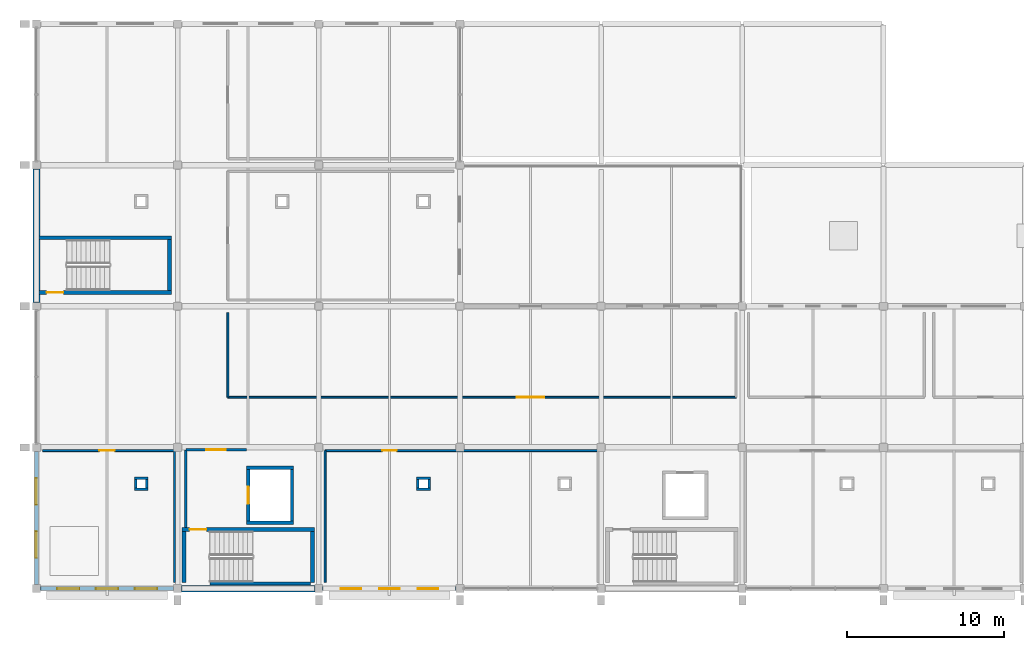
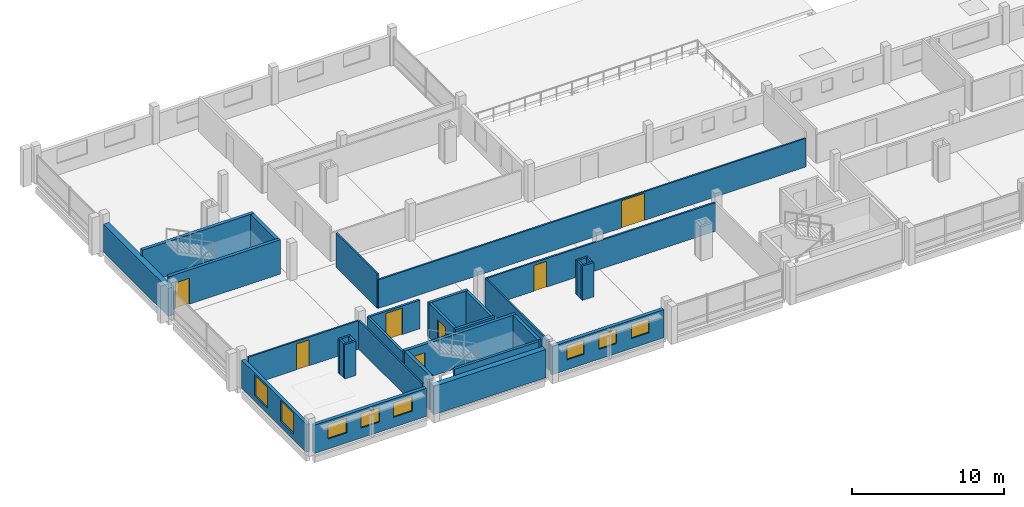
# One storey, part 18 of 25: 32 walls, 8 windows, 7 doors, 15 openings.
"""IFC4 building model written with IfcOpenShell, lengths in metres."""

from ifc_helpers import new_model, si_unit, direction, frame, frame_2d, origin, place, context, subcontext, project, spatial, rectangle, extrude, material, layer, layer_set, type_object, element, fill, save


model = new_model("IFC4")

# Units and contexts
model_context = context("Model", 3, precision=1e-05, world=origin(), true_north=direction((0.0, 1.0)))
body_context = subcontext(model_context, "Body", "Model", "MODEL_VIEW")
ifc_project = project(units=[si_unit("LENGTHUNIT", "METRE"), si_unit("AREAUNIT", "SQUARE_METRE"), si_unit("VOLUMEUNIT", "CUBIC_METRE"), si_unit("PLANEANGLEUNIT", "RADIAN"), si_unit("MASSUNIT", "GRAM", prefix="KILO")], contexts=[model_context])

# Site, building, storey
site_placement = place(None, origin())
site = spatial("IfcSite", under=ifc_project, at=site_placement, CompositionType="ELEMENT")
building_placement = place(site_placement, origin())
building = spatial("IfcBuilding", under=site, at=building_placement, Name="Tharagai Park Tramway Depot", CompositionType="ELEMENT")
storey_placement = place(building_placement, frame((0.0, 0.0, 12.0)))
storey = spatial("IfcBuildingStorey", under=building, at=storey_placement, Name="L03", CompositionType="ELEMENT", Elevation=12.0)

# Wall, openings, windows
ifc_material_1 = material(Name="Pressed clay brick", Category="masonry")
ifc_layer_1 = layer(ifc_material_1, 0.260009765625)
ifc_layer_set_1 = layer_set([ifc_layer_1], Name="Pressed clay brick")
wall_type_1 = type_object("IfcWallType", Name="EW-05", PredefinedType="SOLIDWALL", material=ifc_layer_set_1)
wall_1_placement = place(storey_placement, frame((0.248046875, 0.0, 0.0), z_axis=(0.0, 0.0, 1.0), x_axis=(1.0, 0.0, 0.0)))
wall_1 = element("IfcWall", 1, at=wall_1_placement, inside=storey, type_object=wall_type_1, Name="L03 V4 Exterior Masonry Wall EW-05", PredefinedType="SOLIDWALL", context=body_context, shape_type="SweptSolid", body=[
    extrude(rectangle(XDim=8.50390625, YDim=0.260009765625, at=frame_2d((4.251953125, 0.0))), origin(), (0.0, 0.0, 1.0), 2.261962890625),
])
opening_1_placement = place(wall_1_placement, frame((1.06103515625, 0.0, 0.800048828125)))
opening_1 = element("IfcOpeningElement", 2, at=opening_1_placement, cuts=wall_1, Name="Opening WN-16", PredefinedType="OPENING", context=body_context, shape_type="SweptSolid", body=[
    extrude(rectangle(XDim=1.419921875, YDim=1.159912109375, at=frame_2d((0.7099609375, 0.580078125))), frame((0.0, 0.139892578125, 0.0), z_axis=(0.0, -1.0, 0.0), x_axis=(1.0, 0.0, 0.0)), (0.0, 0.0, 1.0), 0.280029296875),
])
opening_2_placement = place(wall_1_placement, frame((3.5419921875, 0.0, 0.800048828125)))
opening_2 = element("IfcOpeningElement", 3, at=opening_2_placement, cuts=wall_1, Name="Opening WN-16", PredefinedType="OPENING", context=body_context, shape_type="SweptSolid", body=[
    extrude(rectangle(XDim=1.419921875, YDim=1.159912109375, at=frame_2d((0.7099609375, 0.580078125))), frame((0.0, 0.139892578125, 0.0), z_axis=(0.0, -1.0, 0.0), x_axis=(1.0, 0.0, 0.0)), (0.0, 0.0, 1.0), 0.280029296875),
])
opening_3_placement = place(wall_1_placement, frame((6.02294921875, 0.0, 0.800048828125)))
opening_3 = element("IfcOpeningElement", 4, at=opening_3_placement, cuts=wall_1, Name="Opening WN-16", PredefinedType="OPENING", context=body_context, shape_type="SweptSolid", body=[
    extrude(rectangle(XDim=1.419921875, YDim=1.159912109375, at=frame_2d((0.7099609375, 0.580078125))), frame((0.0, 0.139892578125, 0.0), z_axis=(0.0, -1.0, 0.0), x_axis=(1.0, 0.0, 0.0)), (0.0, 0.0, 1.0), 0.280029296875),
])
ifc_material_2 = material(Name="Laminated solar-control glass", Category="glass")
window_type_1 = type_object("IfcWindowType", Name="WN-16", PartitioningType="SINGLE_PANEL", PredefinedType="WINDOW", material=ifc_material_2)
window_1_placement = place(opening_1_placement, origin())
window_1 = element("IfcWindow", 5, at=window_1_placement, inside=storey, type_object=window_type_1, Name="L03 V4 Gothic Lancet Window WN-16", OverallHeight=1.159912109375, OverallWidth=1.419921875, PartitioningType="SINGLE_PANEL", PredefinedType="WINDOW", context=body_context, shape_type="SweptSolid", body=[
    extrude(rectangle(XDim=1.419921875, YDim=1.159912109375, at=frame_2d((0.7099609375, 0.580078125))), frame((0.0, 0.030029296875, 0.0), z_axis=(0.0, -1.0, 0.0), x_axis=(1.0, 0.0, 0.0)), (0.0, 0.0, 1.0), 0.06005859375),
])
fill(opening_1, window_1)
window_2_placement = place(opening_2_placement, origin())
window_2 = element("IfcWindow", 6, at=window_2_placement, inside=storey, type_object=window_type_1, Name="L03 V4 Gothic Lancet Window WN-16", OverallHeight=1.159912109375, OverallWidth=1.419921875, PartitioningType="SINGLE_PANEL", PredefinedType="WINDOW", context=body_context, shape_type="SweptSolid", body=[
    extrude(rectangle(XDim=1.419921875, YDim=1.159912109375, at=frame_2d((0.7099609375, 0.580078125))), frame((0.0, 0.030029296875, 0.0), z_axis=(0.0, -1.0, 0.0), x_axis=(1.0, 0.0, 0.0)), (0.0, 0.0, 1.0), 0.06005859375),
])
fill(opening_2, window_2)
window_3_placement = place(opening_3_placement, origin())
window_3 = element("IfcWindow", 7, at=window_3_placement, inside=storey, type_object=window_type_1, Name="L03 V4 Gothic Lancet Window WN-16", OverallHeight=1.159912109375, OverallWidth=1.419921875, PartitioningType="SINGLE_PANEL", PredefinedType="WINDOW", context=body_context, shape_type="SweptSolid", body=[
    extrude(rectangle(XDim=1.419921875, YDim=1.159912109375, at=frame_2d((0.7099609375, 0.580078125))), frame((0.0, 0.030029296875, 0.0), z_axis=(0.0, -1.0, 0.0), x_axis=(1.0, 0.0, 0.0)), (0.0, 0.0, 1.0), 0.06005859375),
])
fill(opening_3, window_3)

wall_2_placement = place(storey_placement, frame((18.248046875, 0.0, 0.0), z_axis=(0.0, 0.0, 1.0), x_axis=(1.0, 0.0, 0.0)))
wall_2 = element("IfcWall", 8, at=wall_2_placement, inside=storey, type_object=wall_type_1, Name="L03 V4 Exterior Masonry Wall EW-05", PredefinedType="SOLIDWALL", context=body_context, shape_type="SweptSolid", body=[
    extrude(rectangle(XDim=8.50390625, YDim=0.260009765625, at=frame_2d((4.251953125, 0.0))), origin(), (0.0, 0.0, 1.0), 2.261962890625),
])
opening_4_placement = place(wall_2_placement, frame((1.135986328125, 0.0, 0.800048828125)))
opening_4 = element("IfcOpeningElement", 9, at=opening_4_placement, cuts=wall_2, Name="Opening WN-47", PredefinedType="OPENING", context=body_context, shape_type="SweptSolid", body=[
    extrude(rectangle(XDim=1.320068359375, YDim=1.139892578125, at=frame_2d((0.66015625, 0.56982421875))), frame((0.0, 0.139892578125, 0.0), z_axis=(0.0, -1.0, 0.0), x_axis=(1.0, 0.0, 0.0)), (0.0, 0.0, 1.0), 0.280029296875),
])
opening_5_placement = place(wall_2_placement, frame((3.592041015625, 0.0, 0.800048828125)))
opening_5 = element("IfcOpeningElement", 10, at=opening_5_placement, cuts=wall_2, Name="Opening WN-47", PredefinedType="OPENING", context=body_context, shape_type="SweptSolid", body=[
    extrude(rectangle(XDim=1.320068359375, YDim=1.139892578125, at=frame_2d((0.66015625, 0.56982421875))), frame((0.0, 0.139892578125, 0.0), z_axis=(0.0, -1.0, 0.0), x_axis=(1.0, 0.0, 0.0)), (0.0, 0.0, 1.0), 0.280029296875),
])
opening_6_placement = place(wall_2_placement, frame((6.048095703125, 0.0, 0.800048828125)))
opening_6 = element("IfcOpeningElement", 11, at=opening_6_placement, cuts=wall_2, Name="Opening WN-47", PredefinedType="OPENING", context=body_context, shape_type="SweptSolid", body=[
    extrude(rectangle(XDim=1.320068359375, YDim=1.139892578125, at=frame_2d((0.66015625, 0.56982421875))), frame((0.0, 0.139892578125, 0.0), z_axis=(0.0, -1.0, 0.0), x_axis=(1.0, 0.0, 0.0)), (0.0, 0.0, 1.0), 0.280029296875),
])
window_type_2 = type_object("IfcWindowType", Name="WN-47", PartitioningType="SINGLE_PANEL", PredefinedType="WINDOW", material=ifc_material_2)
window_4_placement = place(opening_4_placement, origin())
window_4 = element("IfcWindow", 12, at=window_4_placement, inside=storey, type_object=window_type_2, Name="L03 V4 Gothic Lancet Window WN-47", OverallHeight=1.139892578125, OverallWidth=1.320068359375, PartitioningType="SINGLE_PANEL", PredefinedType="WINDOW", context=body_context, shape_type="SweptSolid", body=[
    extrude(rectangle(XDim=1.320068359375, YDim=1.139892578125, at=frame_2d((0.66015625, 0.56982421875))), frame((0.0, 0.030029296875, 0.0), z_axis=(0.0, -1.0, 0.0), x_axis=(1.0, 0.0, 0.0)), (0.0, 0.0, 1.0), 0.06005859375),
])
fill(opening_4, window_4)
window_5_placement = place(opening_5_placement, origin())
window_5 = element("IfcWindow", 13, at=window_5_placement, inside=storey, type_object=window_type_2, Name="L03 V4 Gothic Lancet Window WN-47", OverallHeight=1.139892578125, OverallWidth=1.320068359375, PartitioningType="SINGLE_PANEL", PredefinedType="WINDOW", context=body_context, shape_type="SweptSolid", body=[
    extrude(rectangle(XDim=1.320068359375, YDim=1.139892578125, at=frame_2d((0.66015625, 0.56982421875))), frame((0.0, 0.030029296875, 0.0), z_axis=(0.0, -1.0, 0.0), x_axis=(1.0, 0.0, 0.0)), (0.0, 0.0, 1.0), 0.06005859375),
])
fill(opening_5, window_5)
window_6_placement = place(opening_6_placement, origin())
window_6 = element("IfcWindow", 14, at=window_6_placement, inside=storey, type_object=window_type_2, Name="L03 V4 Gothic Lancet Window WN-47", OverallHeight=1.139892578125, OverallWidth=1.320068359375, PartitioningType="SINGLE_PANEL", PredefinedType="WINDOW", context=body_context, shape_type="SweptSolid", body=[
    extrude(rectangle(XDim=1.320068359375, YDim=1.139892578125, at=frame_2d((0.66015625, 0.56982421875))), frame((0.0, 0.030029296875, 0.0), z_axis=(0.0, -1.0, 0.0), x_axis=(1.0, 0.0, 0.0)), (0.0, 0.0, 1.0), 0.06005859375),
])
fill(opening_6, window_6)

wall_3_placement = place(storey_placement, frame((0.0, 0.248046875, 0.0), z_axis=(0.0, 0.0, 1.0), x_axis=(0.0, 1.0, 0.0)))
wall_3 = element("IfcWall", 15, at=wall_3_placement, inside=storey, type_object=wall_type_1, Name="L03 V4 Exterior Masonry Wall EW-05", PredefinedType="SOLIDWALL", context=body_context, shape_type="SweptSolid", body=[
    extrude(rectangle(XDim=8.50390625, YDim=0.260009765625, at=frame_2d((4.251953125, 0.0))), origin(), (0.0, 0.0, 1.0), 2.241943359375),
])
opening_7_placement = place(wall_3_placement, frame((1.715087890625, 0.0, 0.449951171875)))
opening_7 = element("IfcOpeningElement", 16, at=opening_7_placement, cuts=wall_3, Name="Opening WN-38", PredefinedType="OPENING", context=body_context, shape_type="SweptSolid", body=[
    extrude(rectangle(XDim=1.679931640625, YDim=1.659912109375, at=frame_2d((0.83984375, 0.830078125))), frame((0.0, 0.139892578125, 0.0), z_axis=(0.0, -1.0, 0.0), x_axis=(1.0, 0.0, 0.0)), (0.0, 0.0, 1.0), 0.280029296875),
])
opening_8_placement = place(wall_3_placement, frame((5.10888671875, 0.0, 0.449951171875)))
opening_8 = element("IfcOpeningElement", 17, at=opening_8_placement, cuts=wall_3, Name="Opening WN-38", PredefinedType="OPENING", context=body_context, shape_type="SweptSolid", body=[
    extrude(rectangle(XDim=1.679931640625, YDim=1.659912109375, at=frame_2d((0.83984375, 0.830078125))), frame((0.0, 0.139892578125, 0.0), z_axis=(0.0, -1.0, 0.0), x_axis=(1.0, 0.0, 0.0)), (0.0, 0.0, 1.0), 0.280029296875),
])
window_type_3 = type_object("IfcWindowType", Name="WN-38", PartitioningType="SINGLE_PANEL", PredefinedType="WINDOW", material=ifc_material_2)
window_7_placement = place(opening_7_placement, origin())
window_7 = element("IfcWindow", 18, at=window_7_placement, inside=storey, type_object=window_type_3, Name="L03 V4 Side Lancet Window WN-38", OverallHeight=1.659912109375, OverallWidth=1.679931640625, PartitioningType="SINGLE_PANEL", PredefinedType="WINDOW", context=body_context, shape_type="SweptSolid", body=[
    extrude(rectangle(XDim=1.679931640625, YDim=1.659912109375, at=frame_2d((0.83984375, 0.830078125))), frame((0.0, 0.030029296875, 0.0), z_axis=(0.0, -1.0, 0.0), x_axis=(1.0, 0.0, 0.0)), (0.0, 0.0, 1.0), 0.06005859375),
])
fill(opening_7, window_7)
window_8_placement = place(opening_8_placement, origin())
window_8 = element("IfcWindow", 19, at=window_8_placement, inside=storey, type_object=window_type_3, Name="L03 V4 Side Lancet Window WN-38", OverallHeight=1.659912109375, OverallWidth=1.679931640625, PartitioningType="SINGLE_PANEL", PredefinedType="WINDOW", context=body_context, shape_type="SweptSolid", body=[
    extrude(rectangle(XDim=1.679931640625, YDim=1.659912109375, at=frame_2d((0.83984375, 0.830078125))), frame((0.0, 0.030029296875, 0.0), z_axis=(0.0, -1.0, 0.0), x_axis=(1.0, 0.0, 0.0)), (0.0, 0.0, 1.0), 0.06005859375),
])
fill(opening_8, window_8)

# Walls
ifc_material_3 = material(Name="Charnockite stone", Category="masonry")
ifc_layer_2 = layer(ifc_material_3, 0.419921875)
ifc_layer_set_2 = layer_set([ifc_layer_2], Name="Charnockite stone")
wall_type_2 = type_object("IfcWallType", Name="EW-07", PredefinedType="SOLIDWALL", material=ifc_layer_set_2)
wall_4_placement = place(storey_placement, frame((9.248046875, 0.0, 0.0), z_axis=(0.0, 0.0, 1.0), x_axis=(1.0, 0.0, 0.0)))
element("IfcWall", 20, at=wall_4_placement, inside=storey, type_object=wall_type_2, Name="L03 V4 Exterior Masonry Wall EW-07", PredefinedType="SOLIDWALL", context=body_context, shape_type="SweptSolid", body=[
    extrude(rectangle(XDim=8.50390625, YDim=0.419921875, at=frame_2d((4.251953125, 0.0))), origin(), (0.0, 0.0, 1.0), 2.261962890625),
])
wall_5_placement = place(storey_placement, frame((0.0, 18.248046875, 0.0), z_axis=(0.0, 0.0, 1.0), x_axis=(0.0, 1.0, 0.0)))
element("IfcWall", 21, at=wall_5_placement, inside=storey, type_object=wall_type_2, Name="L03 V4 Exterior Masonry Wall EW-07", PredefinedType="SOLIDWALL", context=body_context, shape_type="SweptSolid", body=[
    extrude(rectangle(XDim=8.50390625, YDim=0.419921875, at=frame_2d((4.251953125, 0.0))), origin(), (0.0, 0.0, 1.0), 2.241943359375),
])
ifc_layer_3 = layer(ifc_material_1, 0.159912109375)
ifc_layer_set_3 = layer_set([ifc_layer_3], Name="Pressed clay brick")
wall_type_3 = type_object("IfcWallType", Name="IW-02", PredefinedType="PARTITIONING", material=ifc_layer_set_3)
for number, where, z_axis, x_axis, name in (
    (22, (6.239990234375, 6.320068359375, 0.0), (0.0, 0.0, 1.0), (1.0, 0.0, 0.0), "L03 Pipe Riser Enclosure Wall 52 S"),
    (23, (6.239990234375, 7.030029296875, 0.0), (0.0, 0.0, 1.0), (1.0, 0.0, 0.0), "L03 Pipe Riser Enclosure Wall 52 N"),
):
    element("IfcWall", number, at=place(storey_placement, frame(where, z_axis=z_axis, x_axis=x_axis)), inside=storey, type_object=wall_type_3, Name=name, PredefinedType="PARTITIONING", context=body_context, shape_type="SweptSolid", body=[
        extrude(rectangle(XDim=0.8701171875, YDim=0.159912109375, at=frame_2d((0.43505859375, 0.0))), origin(), (0.0, 0.0, 1.0), 2.75),
    ])
for number, where, z_axis, x_axis, name in (
    (24, (6.320068359375, 6.39990234375, 0.0), (0.0, 0.0, 1.0), (0.0, 1.0, 0.0), "L03 Pipe Riser Enclosure Wall 52 W"),
    (25, (7.030029296875, 6.39990234375, 0.0), (0.0, 0.0, 1.0), (0.0, 1.0, 0.0), "L03 Pipe Riser Enclosure Wall 52 E"),
):
    element("IfcWall", number, at=place(storey_placement, frame(where, z_axis=z_axis, x_axis=x_axis)), inside=storey, type_object=wall_type_3, Name=name, PredefinedType="PARTITIONING", context=body_context, shape_type="SweptSolid", body=[
        extrude(rectangle(XDim=0.550048828125, YDim=0.159912109375, at=frame_2d((0.27490234375, 0.0))), origin(), (0.0, 0.0, 1.0), 2.75),
    ])
for number, where, z_axis, x_axis, name in (
    (26, (24.239990234375, 6.320068359375, 0.0), (0.0, 0.0, 1.0), (1.0, 0.0, 0.0), "L03 Pipe Riser Enclosure Wall 53 S"),
    (27, (24.239990234375, 7.030029296875, 0.0), (0.0, 0.0, 1.0), (1.0, 0.0, 0.0), "L03 Pipe Riser Enclosure Wall 53 N"),
):
    element("IfcWall", number, at=place(storey_placement, frame(where, z_axis=z_axis, x_axis=x_axis)), inside=storey, type_object=wall_type_3, Name=name, PredefinedType="PARTITIONING", context=body_context, shape_type="SweptSolid", body=[
        extrude(rectangle(XDim=0.8701171875, YDim=0.159912109375, at=frame_2d((0.43505859375, 0.0))), origin(), (0.0, 0.0, 1.0), 2.75),
    ])
for number, where, z_axis, x_axis, name in (
    (28, (24.320068359375, 6.39990234375, 0.0), (0.0, 0.0, 1.0), (0.0, 1.0, 0.0), "L03 Pipe Riser Enclosure Wall 53 W"),
    (29, (25.030029296875, 6.39990234375, 0.0), (0.0, 0.0, 1.0), (0.0, 1.0, 0.0), "L03 Pipe Riser Enclosure Wall 53 E"),
):
    element("IfcWall", number, at=place(storey_placement, frame(where, z_axis=z_axis, x_axis=x_axis)), inside=storey, type_object=wall_type_3, Name=name, PredefinedType="PARTITIONING", context=body_context, shape_type="SweptSolid", body=[
        extrude(rectangle(XDim=0.550048828125, YDim=0.159912109375, at=frame_2d((0.27490234375, 0.0))), origin(), (0.0, 0.0, 1.0), 2.75),
    ])

# Wall, opening, door
wall_6_placement = place(storey_placement, frame((9.52001953125, 8.85009765625, 0.0), z_axis=(0.0, 0.0, 1.0), x_axis=(1.0, 0.0, 0.0)))
wall_6 = element("IfcWall", 30, at=wall_6_placement, inside=storey, type_object=wall_type_3, Name="Firefighting Lobby L03 Partition North", PredefinedType="PARTITIONING", context=body_context, shape_type="SweptSolid", body=[
    extrude(rectangle(XDim=3.8798828125, YDim=0.159912109375, at=frame_2d((1.93994140625, 0.0))), origin(), (0.0, 0.0, 1.0), 2.294921875),
])
opening_9_placement = place(wall_6_placement, frame((1.320068359375, 0.0, 0.0)))
opening_9 = element("IfcOpeningElement", 31, at=opening_9_placement, cuts=wall_6, Name="Opening ID-10", PredefinedType="OPENING", context=body_context, shape_type="SweptSolid", body=[
    extrude(rectangle(XDim=1.219970703125, YDim=2.1201171875, at=frame_2d((0.60986328125, 1.06005859375))), frame((0.0, 0.08984375, 0.0), z_axis=(0.0, -1.0, 0.0), x_axis=(1.0, 0.0, 0.0)), (0.0, 0.0, 1.0), 0.179931640625),
])
ifc_material_4 = material(Name="Galvanised steel", Category="steel")
door_type_1 = type_object("IfcDoorType", Name="ID-10", OperationType="NOTDEFINED", PredefinedType="DOOR", material=ifc_material_4)
door_1_placement = place(opening_9_placement, origin())
door_1 = element("IfcDoor", 32, at=door_1_placement, inside=storey, type_object=door_type_1, Name="Firefighting Lobby L03 Door", OperationType="SINGLE_SWING_RIGHT", OverallHeight=2.1201171875, OverallWidth=1.219970703125, PredefinedType="DOOR", context=body_context, shape_type="SweptSolid", body=[
    extrude(rectangle(XDim=1.219970703125, YDim=2.1201171875, at=frame_2d((0.60986328125, 1.06005859375))), frame((0.0, 0.02490234375, 0.0), z_axis=(0.0, -1.0, 0.0), x_axis=(1.0, 0.0, 0.0)), (0.0, 0.0, 1.0), 0.050048828125),
])
fill(opening_9, door_1)

# Wall
wall_7_placement = place(storey_placement, frame((9.52001953125, 3.889892578125, 0.0), z_axis=(0.0, 0.0, 1.0), x_axis=(0.0, 1.0, 0.0)))
element("IfcWall", 33, at=wall_7_placement, inside=storey, type_object=wall_type_3, Name="Firefighting Lobby L03 Partition West", PredefinedType="PARTITIONING", context=body_context, shape_type="SweptSolid", body=[
    extrude(rectangle(XDim=4.960205078125, YDim=0.159912109375, at=frame_2d((2.47998046875, 0.0))), origin(), (0.0, 0.0, 1.0), 2.294921875),
])

# Wall, opening, door
ifc_material_5 = material(Name="Gypsum board", Category="gypsum")
ifc_layer_4 = layer(ifc_material_5, 0.1201171875)
ifc_layer_set_4 = layer_set([ifc_layer_4], Name="Gypsum board")
wall_type_4 = type_object("IfcWallType", Name="IW-03", PredefinedType="PARTITIONING", material=ifc_layer_set_4)
wall_8_placement = place(storey_placement, frame((0.39990234375, 8.800048828125, 0.0), z_axis=(0.0, 0.0, 1.0), x_axis=(1.0, 0.0, 0.0)))
wall_8 = element("IfcWall", 34, at=wall_8_placement, inside=storey, type_object=wall_type_4, Name="Crew Quiet Recreation Lounge Partition North", PredefinedType="PARTITIONING", context=body_context, shape_type="SweptSolid", body=[
    extrude(rectangle(XDim=8.400146484375, YDim=0.1201171875, at=frame_2d((4.2001953125, 0.0))), origin(), (0.0, 0.0, 1.0), 2.294921875),
])
opening_10_placement = place(wall_8_placement, frame((3.610107421875, 0.0, 0.0)))
opening_10 = element("IfcOpeningElement", 35, at=opening_10_placement, cuts=wall_8, Name="Opening ID-02", PredefinedType="OPENING", context=body_context, shape_type="SweptSolid", body=[
    extrude(rectangle(XDim=0.97998046875, YDim=2.080078125, at=frame_2d((0.489990234375, 1.0400390625))), frame((0.0, 0.070068359375, 0.0), z_axis=(0.0, -1.0, 0.0), x_axis=(1.0, 0.0, 0.0)), (0.0, 0.0, 1.0), 0.14013671875),
])
ifc_material_6 = material(Name="Pressed timber", Category="wood")
door_type_2 = type_object("IfcDoorType", Name="ID-02", OperationType="NOTDEFINED", PredefinedType="DOOR", material=ifc_material_6)
door_2_placement = place(opening_10_placement, origin())
door_2 = element("IfcDoor", 36, at=door_2_placement, inside=storey, type_object=door_type_2, Name="Crew Quiet Recreation Lounge Door", OperationType="SINGLE_SWING_LEFT", OverallHeight=2.080078125, OverallWidth=0.97998046875, PredefinedType="DOOR", context=body_context, shape_type="SweptSolid", body=[
    extrude(rectangle(XDim=0.97998046875, YDim=2.080078125, at=frame_2d((0.489990234375, 1.0400390625))), frame((0.0, 0.02490234375, 0.0), z_axis=(0.0, -1.0, 0.0), x_axis=(1.0, 0.0, 0.0)), (0.0, 0.0, 1.0), 0.050048828125),
])
fill(opening_10, door_2)

# Wall
wall_9_placement = place(storey_placement, frame((8.800048828125, 0.39990234375, 0.0), z_axis=(0.0, 0.0, 1.0), x_axis=(0.0, 1.0, 0.0)))
element("IfcWall", 37, at=wall_9_placement, inside=storey, type_object=wall_type_4, Name="Crew Quiet Recreation Lounge Partition East", PredefinedType="PARTITIONING", context=body_context, shape_type="SweptSolid", body=[
    extrude(rectangle(XDim=8.400146484375, YDim=0.1201171875, at=frame_2d((4.2001953125, 0.0))), origin(), (0.0, 0.0, 1.0), 2.294921875),
])

# Wall, opening, door
wall_10_placement = place(storey_placement, frame((18.39990234375, 8.800048828125, 0.0), z_axis=(0.0, 0.0, 1.0), x_axis=(1.0, 0.0, 0.0)))
wall_10 = element("IfcWall", 38, at=wall_10_placement, inside=storey, type_object=wall_type_4, Name="Staff Canteen Dining Hall Partition North", PredefinedType="PARTITIONING", context=body_context, shape_type="SweptSolid", body=[
    extrude(rectangle(XDim=17.400146484375, YDim=0.1201171875, at=frame_2d((8.7001953125, 0.0))), origin(), (0.0, 0.0, 1.0), 2.294921875),
])
opening_11_placement = place(wall_10_placement, frame((3.6298828125, 0.0, 0.0)))
opening_11 = element("IfcOpeningElement", 39, at=opening_11_placement, cuts=wall_10, Name="Opening ID-03", PredefinedType="OPENING", context=body_context, shape_type="SweptSolid", body=[
    extrude(rectangle(XDim=0.93994140625, YDim=2.06005859375, at=frame_2d((0.469970703125, 1.030029296875))), frame((0.0, 0.070068359375, 0.0), z_axis=(0.0, -1.0, 0.0), x_axis=(1.0, 0.0, 0.0)), (0.0, 0.0, 1.0), 0.14013671875),
])
door_type_3 = type_object("IfcDoorType", Name="ID-03", OperationType="NOTDEFINED", PredefinedType="DOOR", material=ifc_material_6)
door_3_placement = place(opening_11_placement, origin())
door_3 = element("IfcDoor", 40, at=door_3_placement, inside=storey, type_object=door_type_3, Name="Staff Canteen Dining Hall Door", OperationType="SINGLE_SWING_RIGHT", OverallHeight=2.06005859375, OverallWidth=0.93994140625, PredefinedType="DOOR", context=body_context, shape_type="SweptSolid", body=[
    extrude(rectangle(XDim=0.93994140625, YDim=2.06005859375, at=frame_2d((0.469970703125, 1.030029296875))), frame((0.0, 0.02490234375, 0.0), z_axis=(0.0, -1.0, 0.0), x_axis=(1.0, 0.0, 0.0)), (0.0, 0.0, 1.0), 0.050048828125),
])
fill(opening_11, door_3)

# Wall
wall_11_placement = place(storey_placement, frame((18.39990234375, 0.39990234375, 0.0), z_axis=(0.0, 0.0, 1.0), x_axis=(0.0, 1.0, 0.0)))
element("IfcWall", 41, at=wall_11_placement, inside=storey, type_object=wall_type_4, Name="Staff Canteen Dining Hall Partition West", PredefinedType="PARTITIONING", context=body_context, shape_type="SweptSolid", body=[
    extrude(rectangle(XDim=8.400146484375, YDim=0.1201171875, at=frame_2d((4.2001953125, 0.0))), origin(), (0.0, 0.0, 1.0), 2.294921875),
])

# Wall, opening, door
wall_12_placement = place(storey_placement, frame((12.199951171875, 12.199951171875, 0.0), z_axis=(0.0, 0.0, 1.0), x_axis=(1.0, 0.0, 0.0)))
wall_12 = element("IfcWall", 42, at=wall_12_placement, inside=storey, type_object=wall_type_4, Name="Monsoon Terrace Dining Room Partition South", PredefinedType="PARTITIONING", context=body_context, shape_type="SweptSolid", body=[
    extrude(rectangle(XDim=32.400146484375, YDim=0.1201171875, at=frame_2d((16.2001953125, 0.0))), origin(), (0.0, 0.0, 1.0), 2.294921875),
])
opening_12_placement = place(wall_12_placement, frame((18.429931640625, 0.0, 0.0)))
opening_12 = element("IfcOpeningElement", 43, at=opening_12_placement, cuts=wall_12, Name="Opening ID-04", PredefinedType="OPENING", context=body_context, shape_type="SweptSolid", body=[
    extrude(rectangle(XDim=1.739990234375, YDim=2.179931640625, at=frame_2d((0.8701171875, 1.08984375))), frame((0.0, 0.070068359375, 0.0), z_axis=(0.0, -1.0, 0.0), x_axis=(1.0, 0.0, 0.0)), (0.0, 0.0, 1.0), 0.14013671875),
])
ifc_material_7 = material(Name="Anodised aluminium", Category="aluminium")
door_type_4 = type_object("IfcDoorType", Name="ID-04", OperationType="DOUBLE_SWING_LEFT", PredefinedType="DOOR", material=ifc_material_7)
door_4_placement = place(opening_12_placement, frame((1.739990234375, 0.0, 0.0), z_axis=(0.0, 0.0, 1.0), x_axis=(-1.0, 0.0, 0.0)))
door_4 = element("IfcDoor", 44, at=door_4_placement, inside=storey, type_object=door_type_4, Name="Monsoon Terrace Dining Room Door", OperationType="DOUBLE_SWING_LEFT", OverallHeight=2.179931640625, OverallWidth=1.739990234375, PredefinedType="DOOR", context=body_context, shape_type="SweptSolid", body=[
    extrude(rectangle(XDim=1.739990234375, YDim=2.179931640625, at=frame_2d((0.8701171875, 1.08984375))), frame((0.0, 0.02490234375, 0.0), z_axis=(0.0, -1.0, 0.0), x_axis=(1.0, 0.0, 0.0)), (0.0, 0.0, 1.0), 0.050048828125),
])
fill(opening_12, door_4)

# Wall
wall_13_placement = place(storey_placement, frame((12.199951171875, 12.199951171875, 0.0), z_axis=(0.0, 0.0, 1.0), x_axis=(0.0, 1.0, 0.0)))
element("IfcWall", 45, at=wall_13_placement, inside=storey, type_object=wall_type_4, Name="Monsoon Terrace Dining Room Partition West", PredefinedType="PARTITIONING", context=body_context, shape_type="SweptSolid", body=[
    extrude(rectangle(XDim=5.400146484375, YDim=0.1201171875, at=frame_2d((2.7001953125, 0.0))), origin(), (0.0, 0.0, 1.0), 2.75),
])

# Wall, opening, door
ifc_material_8 = material(Name="Concrete M40", Category="concrete")
ifc_layer_5 = layer(ifc_material_8, 0.239990234375)
ifc_layer_set_5 = layer_set([ifc_layer_5], Name="Concrete M40")
wall_type_5 = type_object("IfcWallType", Name="SW-01", PredefinedType="SHEAR", material=ifc_layer_set_5)
wall_14_placement = place(storey_placement, frame((9.280029296875, 3.77001953125, 0.0), z_axis=(0.0, 0.0, 1.0), x_axis=(1.0, 0.0, 0.0)))
wall_14 = element("IfcWall", 46, at=wall_14_placement, inside=storey, type_object=wall_type_5, Name="Core C1 L03 Shear Wall North", PredefinedType="SHEAR", context=body_context, shape_type="SweptSolid", body=[
    extrude(rectangle(XDim=8.43994140625, YDim=0.239990234375, at=frame_2d((4.219970703125, 0.0))), origin(), (0.0, 0.0, 1.0), 2.75),
])
opening_13_placement = place(wall_14_placement, frame((0.47998046875, 0.0, 0.0)))
opening_13 = element("IfcOpeningElement", 47, at=opening_13_placement, cuts=wall_14, Name="Opening ID-05", PredefinedType="OPENING", context=body_context, shape_type="SweptSolid", body=[
    extrude(rectangle(XDim=1.080078125, YDim=2.080078125, at=frame_2d((0.5400390625, 1.0400390625))), frame((0.0, 0.1298828125, 0.0), z_axis=(0.0, -1.0, 0.0), x_axis=(1.0, 0.0, 0.0)), (0.0, 0.0, 1.0), 0.260009765625),
])
door_type_5 = type_object("IfcDoorType", Name="ID-05", OperationType="NOTDEFINED", PredefinedType="DOOR", material=ifc_material_4)
door_5_placement = place(opening_13_placement, frame((1.080078125, 0.0, 0.0), z_axis=(0.0, 0.0, 1.0), x_axis=(-1.0, 0.0, 0.0)))
door_5 = element("IfcDoor", 48, at=door_5_placement, inside=storey, type_object=door_type_5, Name="Stair ST-01 L03 Fire Door", OperationType="SINGLE_SWING_RIGHT", OverallHeight=2.080078125, OverallWidth=1.080078125, PredefinedType="DOOR", context=body_context, shape_type="SweptSolid", body=[
    extrude(rectangle(XDim=1.080078125, YDim=2.080078125, at=frame_2d((0.5400390625, 1.0400390625))), frame((0.0, 0.02490234375, 0.0), z_axis=(0.0, -1.0, 0.0), x_axis=(1.0, 0.0, 0.0)), (0.0, 0.0, 1.0), 0.050048828125),
])
fill(opening_13, door_5)

# Walls
for number, where, z_axis, x_axis, name in (
    (49, (9.39990234375, 0.39990234375, 0.0), (0.0, 0.0, 1.0), (0.0, 1.0, 0.0), "Core C1 L03 Shear Wall West"),
    (50, (17.60009765625, 0.39990234375, 0.0), (0.0, 0.0, 1.0), (0.0, 1.0, 0.0), "Core C1 L03 Shear Wall East"),
):
    element("IfcWall", number, at=place(storey_placement, frame(where, z_axis=z_axis, x_axis=x_axis)), inside=storey, type_object=wall_type_5, Name=name, PredefinedType="SHEAR", context=body_context, shape_type="SweptSolid", body=[
        extrude(rectangle(XDim=3.25, YDim=0.239990234375, at=frame_2d((1.625, 0.0))), origin(), (0.0, 0.0, 1.0), 2.75),
    ])

# Wall, opening, door
wall_15_placement = place(storey_placement, frame((0.159912109375, 18.8798828125, 0.0), z_axis=(0.0, 0.0, 1.0), x_axis=(1.0, 0.0, 0.0)))
wall_15 = element("IfcWall", 51, at=wall_15_placement, inside=storey, type_object=wall_type_5, Name="Core C3 L03 Shear Wall South", PredefinedType="SHEAR", context=body_context, shape_type="SweptSolid", body=[
    extrude(rectangle(XDim=8.440185546875, YDim=0.239990234375, at=frame_2d((4.22021484375, 0.0))), origin(), (0.0, 0.0, 1.0), 2.75),
])
opening_14_placement = place(wall_15_placement, frame((0.47998046875, 0.0, 0.0)))
opening_14 = element("IfcOpeningElement", 52, at=opening_14_placement, cuts=wall_15, Name="Opening ID-05", PredefinedType="OPENING", context=body_context, shape_type="SweptSolid", body=[
    extrude(rectangle(XDim=1.080078125, YDim=2.080078125, at=frame_2d((0.5400390625, 1.0400390625))), frame((0.0, 0.1298828125, 0.0), z_axis=(0.0, -1.0, 0.0), x_axis=(1.0, 0.0, 0.0)), (0.0, 0.0, 1.0), 0.260009765625),
])
door_6_placement = place(opening_14_placement, origin())
door_6 = element("IfcDoor", 53, at=door_6_placement, inside=storey, type_object=door_type_5, Name="Stair ST-03 L03 Fire Door", OperationType="SINGLE_SWING_RIGHT", OverallHeight=2.080078125, OverallWidth=1.080078125, PredefinedType="DOOR", context=body_context, shape_type="SweptSolid", body=[
    extrude(rectangle(XDim=1.080078125, YDim=2.080078125, at=frame_2d((0.5400390625, 1.0400390625))), frame((0.0, 0.02490234375, 0.0), z_axis=(0.0, -1.0, 0.0), x_axis=(1.0, 0.0, 0.0)), (0.0, 0.0, 1.0), 0.050048828125),
])
fill(opening_14, door_6)

# Walls
wall_16_placement = place(storey_placement, frame((0.159912109375, 22.3701171875, 0.0), z_axis=(0.0, 0.0, 1.0), x_axis=(1.0, 0.0, 0.0)))
element("IfcWall", 54, at=wall_16_placement, inside=storey, type_object=wall_type_5, Name="Core C3 L03 Shear Wall North", PredefinedType="SHEAR", context=body_context, shape_type="SweptSolid", body=[
    extrude(rectangle(XDim=8.440185546875, YDim=0.239990234375, at=frame_2d((4.22021484375, 0.0))), origin(), (0.0, 0.0, 1.0), 2.75),
])
wall_17_placement = place(storey_placement, frame((8.47998046875, 19.0, 0.0), z_axis=(0.0, 0.0, 1.0), x_axis=(0.0, 1.0, 0.0)))
element("IfcWall", 55, at=wall_17_placement, inside=storey, type_object=wall_type_5, Name="Core C3 L03 Shear Wall East", PredefinedType="SHEAR", context=body_context, shape_type="SweptSolid", body=[
    extrude(rectangle(XDim=3.25, YDim=0.239990234375, at=frame_2d((1.625, 0.0))), origin(), (0.0, 0.0, 1.0), 2.75),
])
ifc_layer_6 = layer(ifc_material_8, 0.199951171875)
ifc_layer_set_6 = layer_set([ifc_layer_6], Name="Concrete M40")
wall_type_6 = type_object("IfcWallType", Name="SW-02", PredefinedType="SHEAR", material=ifc_layer_set_6)
wall_18_placement = place(storey_placement, frame((11.070068359375, 0.31494140625, 0.0), z_axis=(0.0, 0.0, 1.0), x_axis=(1.0, 0.0, 0.0)))
element("IfcWall", 56, at=wall_18_placement, inside=storey, type_object=wall_type_6, Name="Core C1 L03 Shear Bearing Liner South", PredefinedType="SHEAR", context=body_context, shape_type="SweptSolid", body=[
    extrude(rectangle(XDim=6.409912109375, YDim=0.199951171875, at=frame_2d((3.205078125, 0.0))), origin(), (0.0, 0.0, 1.0), 2.75),
])
for number, where, z_axis, x_axis, name in (
    (57, (13.39990234375, 4.199951171875, 0.0), (0.0, 0.0, 1.0), (1.0, 0.0, 0.0), "Lift LF-01 L03 Shaft Wall South"),
    (58, (13.39990234375, 7.699951171875, 0.0), (0.0, 0.0, 1.0), (1.0, 0.0, 0.0), "Lift LF-01 L03 Shaft Wall North"),
):
    element("IfcWall", number, at=place(storey_placement, frame(where, z_axis=z_axis, x_axis=x_axis)), inside=storey, type_object=wall_type_6, Name=name, PredefinedType="SHEAR", context=body_context, shape_type="SweptSolid", body=[
        extrude(rectangle(XDim=3.0, YDim=0.199951171875, at=frame_2d((1.5, 0.0))), origin(), (0.0, 0.0, 1.0), 2.75),
    ])

# Wall, opening, door
wall_19_placement = place(storey_placement, frame((13.5, 4.300048828125, 0.0), z_axis=(0.0, 0.0, 1.0), x_axis=(0.0, 1.0, 0.0)))
wall_19 = element("IfcWall", 59, at=wall_19_placement, inside=storey, type_object=wall_type_6, Name="Lift LF-01 L03 Shaft Wall West", PredefinedType="SHEAR", context=body_context, shape_type="SweptSolid", body=[
    extrude(rectangle(XDim=3.300048828125, YDim=0.199951171875, at=frame_2d((1.64990234375, 0.0))), origin(), (0.0, 0.0, 1.0), 2.75),
])
opening_15_placement = place(wall_19_placement, frame((1.10009765625, 0.0, 0.0)))
opening_15 = element("IfcOpeningElement", 60, at=opening_15_placement, cuts=wall_19, Name="Opening LD-03", PredefinedType="OPENING", context=body_context, shape_type="SweptSolid", body=[
    extrude(rectangle(XDim=1.10009765625, YDim=2.10009765625, at=frame_2d((0.550048828125, 1.050048828125))), frame((0.0, 0.10986328125, 0.0), z_axis=(0.0, -1.0, 0.0), x_axis=(1.0, 0.0, 0.0)), (0.0, 0.0, 1.0), 0.219970703125),
])
door_type_6 = type_object("IfcDoorType", Name="LD-03", OperationType="SLIDING_TO_LEFT", PredefinedType="DOOR", material=ifc_material_4)
door_7_placement = place(opening_15_placement, origin())
door_7 = element("IfcDoor", 61, at=door_7_placement, inside=storey, type_object=door_type_6, Name="Lift LF-01 L03 Sliding Landing Door", OperationType="SLIDING_TO_LEFT", OverallHeight=2.10009765625, OverallWidth=1.10009765625, PredefinedType="DOOR", context=body_context, shape_type="SweptSolid", body=[
    extrude(rectangle(XDim=1.10009765625, YDim=2.10009765625, at=frame_2d((0.550048828125, 1.050048828125))), frame((0.0, 0.02490234375, 0.0), z_axis=(0.0, -1.0, 0.0), x_axis=(1.0, 0.0, 0.0)), (0.0, 0.0, 1.0), 0.050048828125),
])
fill(opening_15, door_7)

# Wall
wall_20_placement = place(storey_placement, frame((16.300048828125, 4.300048828125, 0.0), z_axis=(0.0, 0.0, 1.0), x_axis=(0.0, 1.0, 0.0)))
element("IfcWall", 62, at=wall_20_placement, inside=storey, type_object=wall_type_6, Name="Lift LF-01 L03 Shaft Wall East", PredefinedType="SHEAR", context=body_context, shape_type="SweptSolid", body=[
    extrude(rectangle(XDim=3.300048828125, YDim=0.199951171875, at=frame_2d((1.64990234375, 0.0))), origin(), (0.0, 0.0, 1.0), 2.75),
])

save(model, "model.ifc")
